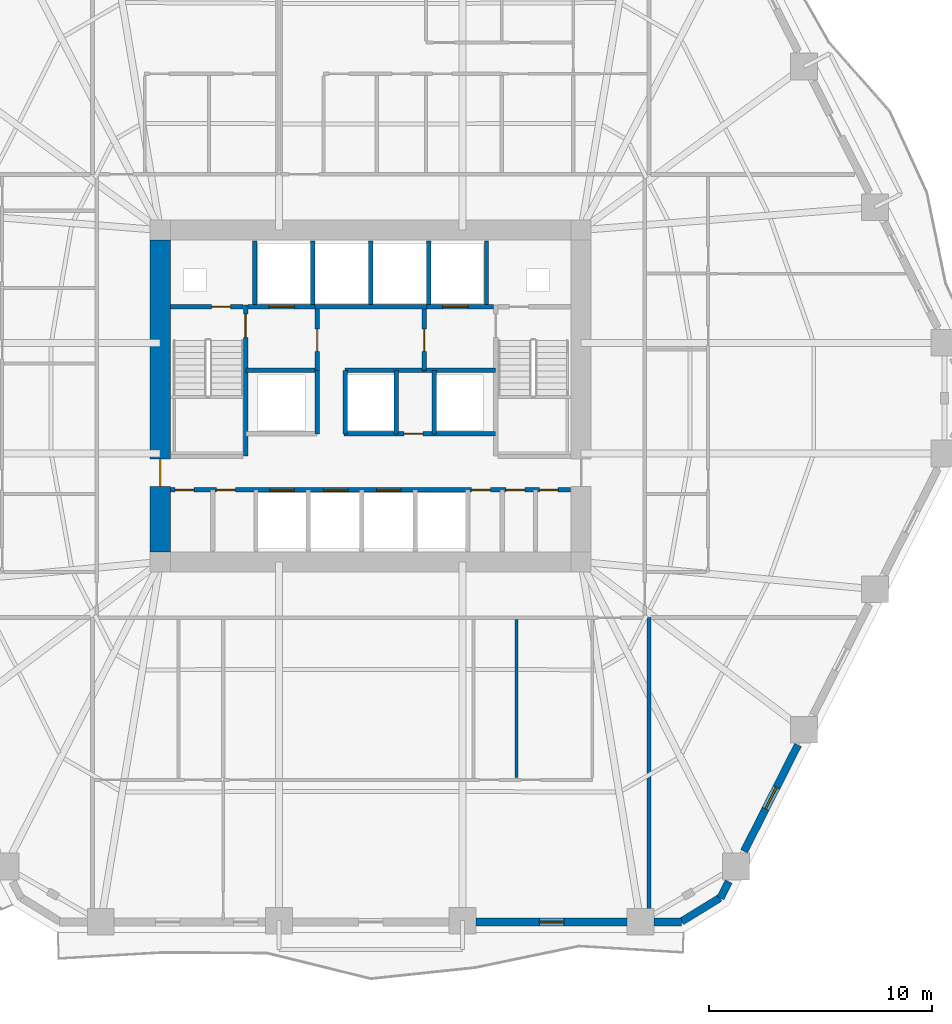
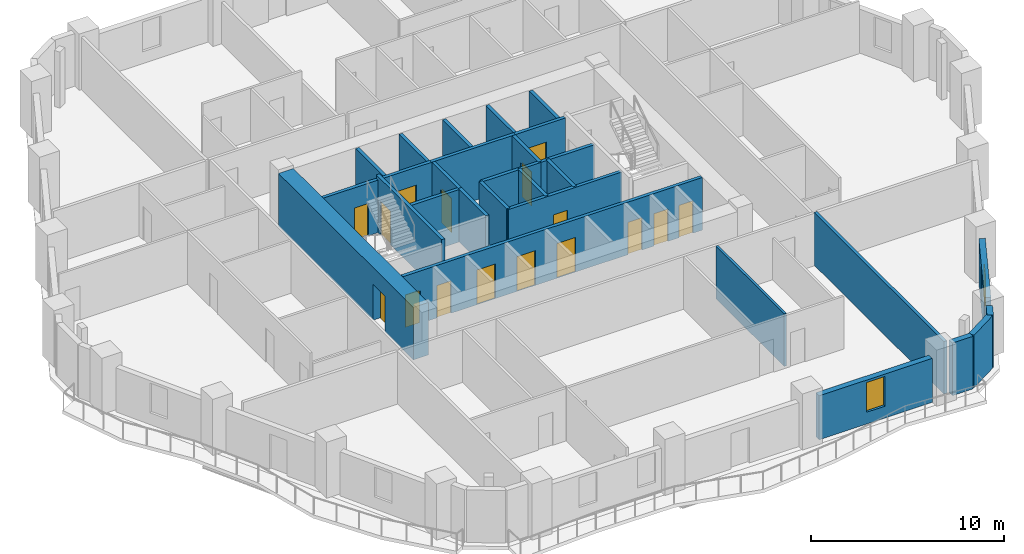
# One storey, part 5 of 11: 29 walls, 16 doors, 2 windows, 18 openings.
"""IFC4 building model written with IfcOpenShell, lengths in metres."""

from ifc_helpers import new_model, si_unit, direction, frame, frame_2d, origin, place, context, subcontext, project, spatial, rectangle, extrude, material, layer, layer_set, type_object, element, fill, save


model = new_model("IFC4")

# Units and contexts
model_context = context("Model", 3, precision=1e-05, world=origin(), true_north=direction((0.0, 1.0)))
body_context = subcontext(model_context, "Body", "Model", "MODEL_VIEW")
ifc_project = project(units=[si_unit("LENGTHUNIT", "METRE"), si_unit("AREAUNIT", "SQUARE_METRE"), si_unit("VOLUMEUNIT", "CUBIC_METRE"), si_unit("PLANEANGLEUNIT", "RADIAN"), si_unit("MASSUNIT", "GRAM", prefix="KILO")], contexts=[model_context])

# Site, building, storey
site_placement = place(None, origin())
site = spatial("IfcSite", under=ifc_project, at=site_placement, CompositionType="ELEMENT")
building_placement = place(site_placement, origin())
building = spatial("IfcBuilding", under=site, at=building_placement, Name="Cinnabar Lancet Tower", CompositionType="ELEMENT")
storey_placement = place(building_placement, frame((0.0, 0.0, 46.199951171875)))
storey = spatial("IfcBuildingStorey", under=building, at=storey_placement, Name="L11", CompositionType="ELEMENT", Elevation=46.199951171875)

# Wall
ifc_material_1 = material(Name="Fire-rated twin-frame acoustic drywall", Category="gypsum")
ifc_layer_1 = layer(ifc_material_1, 0.179931640625)
ifc_layer_set_1 = layer_set([ifc_layer_1], Name="Fire-rated twin-frame acoustic drywall")
wall_type_1 = type_object("IfcWallType", Name="ARC-WL-PARTY-180", PredefinedType="PARTITIONING", material=ifc_layer_set_1)
wall_1_placement = place(storey_placement, frame((44.89990234375, 2.455078125, 0.0), z_axis=(0.0, 0.0, 1.0), x_axis=(0.0, 1.0, 0.0)))
element("IfcWall", 1, at=wall_1_placement, inside=storey, type_object=wall_type_1, Name="PW-L11-SPTY-449", PredefinedType="PARTITIONING", context=body_context, shape_type="SweptSolid", body=[
    extrude(rectangle(XDim=13.494873046875, YDim=0.179931640625, at=frame_2d((6.74755859375, 0.0))), origin(), (0.0, 0.0, 1.0), 3.330078125),
])

# Wall, opening, door
ifc_material_2 = material(Name="Autoclaved aerated concrete blockwork", Category="masonry")
ifc_layer_2 = layer(ifc_material_2, 0.199951171875)
ifc_layer_set_2 = layer_set([ifc_layer_2], Name="Autoclaved aerated concrete blockwork")
wall_type_2 = type_object("IfcWallType", Name="ARC-WL-SHAFT-200", PredefinedType="PLUMBINGWALL", material=ifc_layer_set_2)
wall_2_placement = place(storey_placement, frame((23.405029296875, 29.89990234375, 0.0), z_axis=(0.0, 0.0, 1.0), x_axis=(1.0, 0.0, 0.0)))
wall_2 = element("IfcWall", 2, at=wall_2_placement, inside=storey, type_object=wall_type_2, Name="CW-NSH-W-L11", PredefinedType="PLUMBINGWALL", context=body_context, shape_type="SweptSolid", body=[
    extrude(rectangle(XDim=3.27001953125, YDim=0.199951171875, at=frame_2d((1.635009765625, 0.0))), origin(), (0.0, 0.0, 1.0), 3.330078125),
])
opening_1_placement = place(wall_2_placement, frame((1.85009765625, 0.0, 0.0)))
opening_1 = element("IfcOpeningElement", 3, at=opening_1_placement, cuts=wall_2, Name="Opening PD-02", PredefinedType="OPENING", context=body_context, shape_type="SweptSolid", body=[
    extrude(rectangle(XDim=0.85009765625, YDim=2.050048828125, at=frame_2d((0.425048828125, 1.02490234375))), frame((0.0, 0.10986328125, 0.0), z_axis=(0.0, -1.0, 0.0), x_axis=(1.0, 0.0, 0.0)), (0.0, 0.0, 1.0), 0.219970703125),
])
ifc_material_3 = material(Name="Fire-rated steel riser access door", Category="steel")
door_type_1 = type_object("IfcDoorType", Name="ARC-DR-RISER", OperationType="NOTDEFINED", PredefinedType="DOOR", material=ifc_material_3)
door_1_placement = place(opening_1_placement, origin())
door_1 = element("IfcDoor", 4, at=door_1_placement, inside=storey, type_object=door_type_1, Name="L11 West Riser Access Door", OperationType="SINGLE_SWING_LEFT", OverallHeight=2.050048828125, OverallWidth=0.85009765625, PredefinedType="DOOR", context=body_context, shape_type="SweptSolid", body=[
    extrude(rectangle(XDim=0.85009765625, YDim=2.050048828125, at=frame_2d((0.425048828125, 1.02490234375))), frame((0.0, 0.02490234375, 0.0), z_axis=(0.0, -1.0, 0.0), x_axis=(1.0, 0.0, 0.0)), (0.0, 0.0, 1.0), 0.050048828125),
])
fill(opening_1, door_1)

wall_3_placement = place(storey_placement, frame((26.885009765625, 29.89990234375, 0.0), z_axis=(0.0, 0.0, 1.0), x_axis=(1.0, 0.0, 0.0)))
wall_3 = element("IfcWall", 5, at=wall_3_placement, inside=storey, type_object=wall_type_2, Name="CW-FL1-L11", PredefinedType="PLUMBINGWALL", context=body_context, shape_type="SweptSolid", body=[
    extrude(rectangle(XDim=3.014892578125, YDim=0.199951171875, at=frame_2d((1.50732421875, 0.0))), origin(), (0.0, 0.0, 1.0), 3.330078125),
])
opening_2_placement = place(wall_3_placement, frame((0.93994140625, 0.0, 0.0)))
opening_2 = element("IfcOpeningElement", 6, at=opening_2_placement, cuts=wall_3, Name="Opening LD-02", PredefinedType="OPENING", context=body_context, shape_type="SweptSolid", body=[
    extrude(rectangle(XDim=1.14990234375, YDim=2.199951171875, at=frame_2d((0.574951171875, 1.10009765625))), frame((0.0, 0.10986328125, 0.0), z_axis=(0.0, -1.0, 0.0), x_axis=(1.0, 0.0, 0.0)), (0.0, 0.0, 1.0), 0.219970703125),
])
ifc_material_4 = material(Name="Fire-rated stainless steel firefighting lift landing door", Category="steel")
door_type_2 = type_object("IfcDoorType", Name="ARC-DR-LD-FIRE", OperationType="NOTDEFINED", PredefinedType="DOOR", material=ifc_material_4)
door_2_placement = place(opening_2_placement, origin())
door_2 = element("IfcDoor", 7, at=door_2_placement, inside=storey, type_object=door_type_2, Name="L11 Firefighting Lift FL-1 Landing Door", OperationType="DOUBLE_DOOR_SLIDING", OverallHeight=2.199951171875, OverallWidth=1.14990234375, PredefinedType="DOOR", context=body_context, shape_type="SweptSolid", body=[
    extrude(rectangle(XDim=1.14990234375, YDim=2.199951171875, at=frame_2d((0.574951171875, 1.10009765625))), frame((0.0, 0.02490234375, 0.0), z_axis=(0.0, -1.0, 0.0), x_axis=(1.0, 0.0, 0.0)), (0.0, 0.0, 1.0), 0.050048828125),
])
fill(opening_2, door_2)

# Wall
wall_4_placement = place(storey_placement, frame((29.89990234375, 29.89990234375, 0.0), z_axis=(0.0, 0.0, 1.0), x_axis=(1.0, 0.0, 0.0)))
element("IfcWall", 8, at=wall_4_placement, inside=storey, type_object=wall_type_2, Name="CW-PL78-L11", PredefinedType="PLUMBINGWALL", context=body_context, shape_type="SweptSolid", body=[
    extrude(rectangle(XDim=5.0, YDim=0.199951171875, at=frame_2d((2.5, 0.0))), origin(), (0.0, 0.0, 1.0), 3.330078125),
])

# Wall, opening, door
wall_5_placement = place(storey_placement, frame((34.89990234375, 29.89990234375, 0.0), z_axis=(0.0, 0.0, 1.0), x_axis=(1.0, 0.0, 0.0)))
wall_5 = element("IfcWall", 9, at=wall_5_placement, inside=storey, type_object=wall_type_2, Name="CW-FL2-L11", PredefinedType="PLUMBINGWALL", context=body_context, shape_type="SweptSolid", body=[
    extrude(rectangle(XDim=3.01513671875, YDim=0.199951171875, at=frame_2d((1.507568359375, 0.0))), origin(), (0.0, 0.0, 1.0), 3.330078125),
])
opening_3_placement = place(wall_5_placement, frame((0.72509765625, 0.0, 0.0)))
opening_3 = element("IfcOpeningElement", 10, at=opening_3_placement, cuts=wall_5, Name="Opening LD-02", PredefinedType="OPENING", context=body_context, shape_type="SweptSolid", body=[
    extrude(rectangle(XDim=1.14990234375, YDim=2.199951171875, at=frame_2d((0.574951171875, 1.10009765625))), frame((0.0, 0.10986328125, 0.0), z_axis=(0.0, -1.0, 0.0), x_axis=(1.0, 0.0, 0.0)), (0.0, 0.0, 1.0), 0.219970703125),
])
door_3_placement = place(opening_3_placement, origin())
door_3 = element("IfcDoor", 11, at=door_3_placement, inside=storey, type_object=door_type_2, Name="L11 Firefighting Lift FL-2 Landing Door", OperationType="DOUBLE_DOOR_SLIDING", OverallHeight=2.199951171875, OverallWidth=1.14990234375, PredefinedType="DOOR", context=body_context, shape_type="SweptSolid", body=[
    extrude(rectangle(XDim=1.14990234375, YDim=2.199951171875, at=frame_2d((0.574951171875, 1.10009765625))), frame((0.0, 0.02490234375, 0.0), z_axis=(0.0, -1.0, 0.0), x_axis=(1.0, 0.0, 0.0)), (0.0, 0.0, 1.0), 0.050048828125),
])
fill(opening_3, door_3)

# Walls
for number, where, z_axis, x_axis, name in (
    (12, (27.199951171875, 30.0, 0.0), (0.0, 0.0, 1.0), (0.0, 1.0, 0.0), "CW-NSH-D1-L11"),
    (13, (29.800048828125, 30.0, 0.0), (0.0, 0.0, 1.0), (0.0, 1.0, 0.0), "CW-NSH-D2-L11"),
    (14, (32.39990234375, 30.0, 0.0), (0.0, 0.0, 1.0), (0.0, 1.0, 0.0), "CW-NSH-D3-L11"),
    (15, (35.0, 30.0, 0.0), (0.0, 0.0, 1.0), (0.0, 1.0, 0.0), "CW-NSH-D4-L11"),
    (16, (37.60009765625, 30.0, 0.0), (0.0, 0.0, 1.0), (0.0, 1.0, 0.0), "CW-NSH-D5-L11"),
):
    element("IfcWall", number, at=place(storey_placement, frame(where, z_axis=z_axis, x_axis=x_axis)), inside=storey, type_object=wall_type_2, Name=name, PredefinedType="PLUMBINGWALL", context=body_context, shape_type="SweptSolid", body=[
        extrude(rectangle(XDim=2.85009765625, YDim=0.199951171875, at=frame_2d((1.425048828125, 0.0))), origin(), (0.0, 0.0, 1.0), 3.330078125),
    ])

# Wall, opening, door
wall_6_placement = place(storey_placement, frame((30.0, 27.050048828125, 0.0), z_axis=(0.0, 0.0, 1.0), x_axis=(0.0, 1.0, 0.0)))
wall_6 = element("IfcWall", 17, at=wall_6_placement, inside=storey, type_object=wall_type_2, Name="CW-FF1E-L11", PredefinedType="PLUMBINGWALL", context=body_context, shape_type="SweptSolid", body=[
    extrude(rectangle(XDim=2.75, YDim=0.199951171875, at=frame_2d((1.375, 0.0))), origin(), (0.0, 0.0, 1.0), 3.330078125),
])
opening_4_placement = place(wall_6_placement, frame((0.85009765625, 0.0, 0.0)))
opening_4 = element("IfcOpeningElement", 18, at=opening_4_placement, cuts=wall_6, Name="Opening FD-01", PredefinedType="OPENING", context=body_context, shape_type="SweptSolid", body=[
    extrude(rectangle(XDim=1.0, YDim=2.14990234375, at=frame_2d((0.5, 1.074951171875))), frame((0.0, 0.10986328125, 0.0), z_axis=(0.0, -1.0, 0.0), x_axis=(1.0, 0.0, 0.0)), (0.0, 0.0, 1.0), 0.219970703125),
])
ifc_material_5 = material(Name="Fire-rated timber-core lobby door", Category="wood")
door_type_3 = type_object("IfcDoorType", Name="ARC-DR-FFAL", OperationType="NOTDEFINED", PredefinedType="DOOR", material=ifc_material_5)
door_4_placement = place(opening_4_placement, origin())
door_4 = element("IfcDoor", 19, at=door_4_placement, inside=storey, type_object=door_type_3, Name="L11 FFAL-1 Lobby Fire Door", OperationType="SINGLE_SWING_RIGHT", OverallHeight=2.14990234375, OverallWidth=1.0, PredefinedType="DOOR", context=body_context, shape_type="SweptSolid", body=[
    extrude(rectangle(XDim=1.0, YDim=2.14990234375, at=frame_2d((0.5, 1.074951171875))), frame((0.0, 0.02490234375, 0.0), z_axis=(0.0, -1.0, 0.0), x_axis=(1.0, 0.0, 0.0)), (0.0, 0.0, 1.0), 0.050048828125),
])
fill(opening_4, door_4)

# Wall
wall_7_placement = place(storey_placement, frame((26.800048828125, 27.050048828125, 0.0), z_axis=(0.0, 0.0, 1.0), x_axis=(1.0, 0.0, 0.0)))
element("IfcWall", 20, at=wall_7_placement, inside=storey, type_object=wall_type_2, Name="CW-FF1S-L11", PredefinedType="PLUMBINGWALL", context=body_context, shape_type="SweptSolid", body=[
    extrude(rectangle(XDim=3.199951171875, YDim=0.199951171875, at=frame_2d((1.60009765625, 0.0))), origin(), (0.0, 0.0, 1.0), 3.330078125),
])

# Wall, opening, door
wall_8_placement = place(storey_placement, frame((34.800048828125, 27.050048828125, 0.0), z_axis=(0.0, 0.0, 1.0), x_axis=(0.0, 1.0, 0.0)))
wall_8 = element("IfcWall", 21, at=wall_8_placement, inside=storey, type_object=wall_type_2, Name="CW-FF2W-L11", PredefinedType="PLUMBINGWALL", context=body_context, shape_type="SweptSolid", body=[
    extrude(rectangle(XDim=2.75, YDim=0.199951171875, at=frame_2d((1.375, 0.0))), origin(), (0.0, 0.0, 1.0), 3.330078125),
])
opening_5_placement = place(wall_8_placement, frame((0.85009765625, 0.0, 0.0)))
opening_5 = element("IfcOpeningElement", 22, at=opening_5_placement, cuts=wall_8, Name="Opening FD-01", PredefinedType="OPENING", context=body_context, shape_type="SweptSolid", body=[
    extrude(rectangle(XDim=1.0, YDim=2.14990234375, at=frame_2d((0.5, 1.074951171875))), frame((0.0, 0.10986328125, 0.0), z_axis=(0.0, -1.0, 0.0), x_axis=(1.0, 0.0, 0.0)), (0.0, 0.0, 1.0), 0.219970703125),
])
door_5_placement = place(opening_5_placement, origin())
door_5 = element("IfcDoor", 23, at=door_5_placement, inside=storey, type_object=door_type_3, Name="L11 FFAL-2 Lobby Fire Door", OperationType="SINGLE_SWING_LEFT", OverallHeight=2.14990234375, OverallWidth=1.0, PredefinedType="DOOR", context=body_context, shape_type="SweptSolid", body=[
    extrude(rectangle(XDim=1.0, YDim=2.14990234375, at=frame_2d((0.5, 1.074951171875))), frame((0.0, 0.02490234375, 0.0), z_axis=(0.0, -1.0, 0.0), x_axis=(1.0, 0.0, 0.0)), (0.0, 0.0, 1.0), 0.050048828125),
])
fill(opening_5, door_5)

# Walls
wall_9_placement = place(storey_placement, frame((34.800048828125, 27.050048828125, 0.0), z_axis=(0.0, 0.0, 1.0), x_axis=(1.0, 0.0, 0.0)))
element("IfcWall", 24, at=wall_9_placement, inside=storey, type_object=wall_type_2, Name="CW-FF2S-L11", PredefinedType="PLUMBINGWALL", context=body_context, shape_type="SweptSolid", body=[
    extrude(rectangle(XDim=3.199951171875, YDim=0.199951171875, at=frame_2d((1.60009765625, 0.0))), origin(), (0.0, 0.0, 1.0), 3.330078125),
])
wall_10_placement = place(storey_placement, frame((30.0, 24.199951171875, 0.0), z_axis=(0.0, 0.0, 1.0), x_axis=(0.0, 1.0, 0.0)))
element("IfcWall", 25, at=wall_10_placement, inside=storey, type_object=wall_type_2, Name="CW-PL5E-L11", PredefinedType="PLUMBINGWALL", context=body_context, shape_type="SweptSolid", body=[
    extrude(rectangle(XDim=2.85009765625, YDim=0.199951171875, at=frame_2d((1.425048828125, 0.0))), origin(), (0.0, 0.0, 1.0), 3.330078125),
])

# Wall, opening, door
wall_11_placement = place(storey_placement, frame((31.199951171875, 24.199951171875, 0.0), z_axis=(0.0, 0.0, 1.0), x_axis=(1.0, 0.0, 0.0)))
wall_11 = element("IfcWall", 26, at=wall_11_placement, inside=storey, type_object=wall_type_2, Name="CW-PL96S-L11", PredefinedType="PLUMBINGWALL", context=body_context, shape_type="SweptSolid", body=[
    extrude(rectangle(XDim=6.800048828125, YDim=0.199951171875, at=frame_2d((3.39990234375, 0.0))), origin(), (0.0, 0.0, 1.0), 3.330078125),
])
opening_6_placement = place(wall_11_placement, frame((2.699951171875, 0.0, 0.0)))
opening_6 = element("IfcOpeningElement", 27, at=opening_6_placement, cuts=wall_11, Name="Opening PD-02", PredefinedType="OPENING", context=body_context, shape_type="SweptSolid", body=[
    extrude(rectangle(XDim=0.85009765625, YDim=2.050048828125, at=frame_2d((0.425048828125, 1.02490234375))), frame((0.0, 0.10986328125, 0.0), z_axis=(0.0, -1.0, 0.0), x_axis=(1.0, 0.0, 0.0)), (0.0, 0.0, 1.0), 0.219970703125),
])
door_6_placement = place(opening_6_placement, origin())
door_6 = element("IfcDoor", 28, at=door_6_placement, inside=storey, type_object=door_type_1, Name="L11 BMS Closet Door", OperationType="SINGLE_SWING_LEFT", OverallHeight=2.050048828125, OverallWidth=0.85009765625, PredefinedType="DOOR", context=body_context, shape_type="SweptSolid", body=[
    extrude(rectangle(XDim=0.85009765625, YDim=2.050048828125, at=frame_2d((0.425048828125, 1.02490234375))), frame((0.0, 0.02490234375, 0.0), z_axis=(0.0, -1.0, 0.0), x_axis=(1.0, 0.0, 0.0)), (0.0, 0.0, 1.0), 0.050048828125),
])
fill(opening_6, door_6)

# Walls
for number, where, z_axis, x_axis, name in (
    (29, (31.25, 24.199951171875, 0.0), (0.0, 0.0, 1.0), (0.0, 1.0, 0.0), "CW-PL9W-L11"),
    (30, (33.550048828125, 24.199951171875, 0.0), (0.0, 0.0, 1.0), (0.0, 1.0, 0.0), "CW-PL9E-L11"),
    (31, (35.25, 24.199951171875, 0.0), (0.0, 0.0, 1.0), (0.0, 1.0, 0.0), "CW-PL6W-L11"),
):
    element("IfcWall", number, at=place(storey_placement, frame(where, z_axis=z_axis, x_axis=x_axis)), inside=storey, type_object=wall_type_2, Name=name, PredefinedType="PLUMBINGWALL", context=body_context, shape_type="SweptSolid", body=[
        extrude(rectangle(XDim=2.85009765625, YDim=0.199951171875, at=frame_2d((1.425048828125, 0.0))), origin(), (0.0, 0.0, 1.0), 3.330078125),
    ])
wall_12_placement = place(storey_placement, frame((31.25, 27.050048828125, 0.0), z_axis=(0.0, 0.0, 1.0), x_axis=(1.0, 0.0, 0.0)))
element("IfcWall", 32, at=wall_12_placement, inside=storey, type_object=wall_type_2, Name="CW-PL96N-L11", PredefinedType="PLUMBINGWALL", context=body_context, shape_type="SweptSolid", body=[
    extrude(rectangle(XDim=3.550048828125, YDim=0.199951171875, at=frame_2d((1.77490234375, 0.0))), origin(), (0.0, 0.0, 1.0), 3.330078125),
])

# Wall, openings, doors
wall_13_placement = place(storey_placement, frame((23.419921875, 21.679931640625, 0.0), z_axis=(0.0, 0.0, 1.0), x_axis=(1.0, 0.0, 0.0)))
wall_13 = element("IfcWall", 33, at=wall_13_placement, inside=storey, type_object=wall_type_2, Name="CW-SBANDN-L11", PredefinedType="PLUMBINGWALL", context=body_context, shape_type="SweptSolid", body=[
    extrude(rectangle(XDim=17.9599609375, YDim=0.199951171875, at=frame_2d((8.97998046875, 0.0))), origin(), (0.0, 0.0, 1.0), 3.330078125),
])
opening_7_placement = place(wall_13_placement, frame((4.449951171875, 0.0, 0.0)))
opening_7 = element("IfcOpeningElement", 34, at=opening_7_placement, cuts=wall_13, Name="Opening LD-01", PredefinedType="OPENING", context=body_context, shape_type="SweptSolid", body=[
    extrude(rectangle(XDim=1.10009765625, YDim=2.199951171875, at=frame_2d((0.550048828125, 1.10009765625))), frame((0.0, 0.10986328125, 0.0), z_axis=(0.0, -1.0, 0.0), x_axis=(1.0, 0.0, 0.0)), (0.0, 0.0, 1.0), 0.219970703125),
])
opening_8_placement = place(wall_13_placement, frame((6.85009765625, 0.0, 0.0)))
opening_8 = element("IfcOpeningElement", 35, at=opening_8_placement, cuts=wall_13, Name="Opening LD-01", PredefinedType="OPENING", context=body_context, shape_type="SweptSolid", body=[
    extrude(rectangle(XDim=1.10009765625, YDim=2.199951171875, at=frame_2d((0.550048828125, 1.10009765625))), frame((0.0, 0.10986328125, 0.0), z_axis=(0.0, -1.0, 0.0), x_axis=(1.0, 0.0, 0.0)), (0.0, 0.0, 1.0), 0.219970703125),
])
opening_9_placement = place(wall_13_placement, frame((9.25, 0.0, 0.0)))
opening_9 = element("IfcOpeningElement", 36, at=opening_9_placement, cuts=wall_13, Name="Opening LD-01", PredefinedType="OPENING", context=body_context, shape_type="SweptSolid", body=[
    extrude(rectangle(XDim=1.10009765625, YDim=2.199951171875, at=frame_2d((0.550048828125, 1.10009765625))), frame((0.0, 0.10986328125, 0.0), z_axis=(0.0, -1.0, 0.0), x_axis=(1.0, 0.0, 0.0)), (0.0, 0.0, 1.0), 0.219970703125),
])
opening_10_placement = place(wall_13_placement, frame((0.199951171875, 0.0, 0.0)))
opening_10 = element("IfcOpeningElement", 37, at=opening_10_placement, cuts=wall_13, Name="Opening PD-02", PredefinedType="OPENING", context=body_context, shape_type="SweptSolid", body=[
    extrude(rectangle(XDim=0.85009765625, YDim=2.050048828125, at=frame_2d((0.425048828125, 1.02490234375))), frame((0.0, 0.10986328125, 0.0), z_axis=(0.0, -1.0, 0.0), x_axis=(1.0, 0.0, 0.0)), (0.0, 0.0, 1.0), 0.219970703125),
])
opening_11_placement = place(wall_13_placement, frame((2.050048828125, 0.0, 0.0)))
opening_11 = element("IfcOpeningElement", 38, at=opening_11_placement, cuts=wall_13, Name="Opening PD-02", PredefinedType="OPENING", context=body_context, shape_type="SweptSolid", body=[
    extrude(rectangle(XDim=0.85009765625, YDim=2.050048828125, at=frame_2d((0.425048828125, 1.02490234375))), frame((0.0, 0.10986328125, 0.0), z_axis=(0.0, -1.0, 0.0), x_axis=(1.0, 0.0, 0.0)), (0.0, 0.0, 1.0), 0.219970703125),
])
opening_12_placement = place(wall_13_placement, frame((13.5, 0.0, 0.0)))
opening_12 = element("IfcOpeningElement", 39, at=opening_12_placement, cuts=wall_13, Name="Opening PD-02", PredefinedType="OPENING", context=body_context, shape_type="SweptSolid", body=[
    extrude(rectangle(XDim=0.85009765625, YDim=2.050048828125, at=frame_2d((0.425048828125, 1.02490234375))), frame((0.0, 0.10986328125, 0.0), z_axis=(0.0, -1.0, 0.0), x_axis=(1.0, 0.0, 0.0)), (0.0, 0.0, 1.0), 0.219970703125),
])
opening_13_placement = place(wall_13_placement, frame((15.050048828125, 0.0, 0.0)))
opening_13 = element("IfcOpeningElement", 40, at=opening_13_placement, cuts=wall_13, Name="Opening PD-02", PredefinedType="OPENING", context=body_context, shape_type="SweptSolid", body=[
    extrude(rectangle(XDim=0.85009765625, YDim=2.050048828125, at=frame_2d((0.425048828125, 1.02490234375))), frame((0.0, 0.10986328125, 0.0), z_axis=(0.0, -1.0, 0.0), x_axis=(1.0, 0.0, 0.0)), (0.0, 0.0, 1.0), 0.219970703125),
])
opening_14_placement = place(wall_13_placement, frame((16.550048828125, 0.0, 0.0)))
opening_14 = element("IfcOpeningElement", 41, at=opening_14_placement, cuts=wall_13, Name="Opening PD-02", PredefinedType="OPENING", context=body_context, shape_type="SweptSolid", body=[
    extrude(rectangle(XDim=0.85009765625, YDim=2.050048828125, at=frame_2d((0.425048828125, 1.02490234375))), frame((0.0, 0.10986328125, 0.0), z_axis=(0.0, -1.0, 0.0), x_axis=(1.0, 0.0, 0.0)), (0.0, 0.0, 1.0), 0.219970703125),
])
ifc_material_6 = material(Name="Brushed stainless steel sliding lift door", Category="steel")
door_type_4 = type_object("IfcDoorType", Name="ARC-DR-LD-PASS", OperationType="NOTDEFINED", PredefinedType="DOOR", material=ifc_material_6)
door_7_placement = place(opening_7_placement, origin())
door_7 = element("IfcDoor", 42, at=door_7_placement, inside=storey, type_object=door_type_4, Name="L11 Lift PL-1 Landing Door", OperationType="DOUBLE_DOOR_SLIDING", OverallHeight=2.199951171875, OverallWidth=1.10009765625, PredefinedType="DOOR", context=body_context, shape_type="SweptSolid", body=[
    extrude(rectangle(XDim=1.10009765625, YDim=2.199951171875, at=frame_2d((0.550048828125, 1.10009765625))), frame((0.0, 0.02490234375, 0.0), z_axis=(0.0, -1.0, 0.0), x_axis=(1.0, 0.0, 0.0)), (0.0, 0.0, 1.0), 0.050048828125),
])
fill(opening_7, door_7)
door_8_placement = place(opening_8_placement, origin())
door_8 = element("IfcDoor", 43, at=door_8_placement, inside=storey, type_object=door_type_4, Name="L11 Lift PL-2 Landing Door", OperationType="DOUBLE_DOOR_SLIDING", OverallHeight=2.199951171875, OverallWidth=1.10009765625, PredefinedType="DOOR", context=body_context, shape_type="SweptSolid", body=[
    extrude(rectangle(XDim=1.10009765625, YDim=2.199951171875, at=frame_2d((0.550048828125, 1.10009765625))), frame((0.0, 0.02490234375, 0.0), z_axis=(0.0, -1.0, 0.0), x_axis=(1.0, 0.0, 0.0)), (0.0, 0.0, 1.0), 0.050048828125),
])
fill(opening_8, door_8)
door_9_placement = place(opening_9_placement, origin())
door_9 = element("IfcDoor", 44, at=door_9_placement, inside=storey, type_object=door_type_4, Name="L11 Lift PL-3 Landing Door", OperationType="DOUBLE_DOOR_SLIDING", OverallHeight=2.199951171875, OverallWidth=1.10009765625, PredefinedType="DOOR", context=body_context, shape_type="SweptSolid", body=[
    extrude(rectangle(XDim=1.10009765625, YDim=2.199951171875, at=frame_2d((0.550048828125, 1.10009765625))), frame((0.0, 0.02490234375, 0.0), z_axis=(0.0, -1.0, 0.0), x_axis=(1.0, 0.0, 0.0)), (0.0, 0.0, 1.0), 0.050048828125),
])
fill(opening_9, door_9)
door_10_placement = place(opening_10_placement, origin())
door_10 = element("IfcDoor", 45, at=door_10_placement, inside=storey, type_object=door_type_1, Name="DR-L11-SC2-1", OperationType="SINGLE_SWING_LEFT", OverallHeight=2.050048828125, OverallWidth=0.85009765625, PredefinedType="DOOR", context=body_context, shape_type="SweptSolid", body=[
    extrude(rectangle(XDim=0.85009765625, YDim=2.050048828125, at=frame_2d((0.425048828125, 1.02490234375))), frame((0.0, 0.02490234375, 0.0), z_axis=(0.0, -1.0, 0.0), x_axis=(1.0, 0.0, 0.0)), (0.0, 0.0, 1.0), 0.050048828125),
])
fill(opening_10, door_10)
door_11_placement = place(opening_11_placement, origin())
door_11 = element("IfcDoor", 46, at=door_11_placement, inside=storey, type_object=door_type_1, Name="DR-L11-SC2-2", OperationType="SINGLE_SWING_RIGHT", OverallHeight=2.050048828125, OverallWidth=0.85009765625, PredefinedType="DOOR", context=body_context, shape_type="SweptSolid", body=[
    extrude(rectangle(XDim=0.85009765625, YDim=2.050048828125, at=frame_2d((0.425048828125, 1.02490234375))), frame((0.0, 0.02490234375, 0.0), z_axis=(0.0, -1.0, 0.0), x_axis=(1.0, 0.0, 0.0)), (0.0, 0.0, 1.0), 0.050048828125),
])
fill(opening_11, door_11)
door_12_placement = place(opening_12_placement, origin())
door_12 = element("IfcDoor", 47, at=door_12_placement, inside=storey, type_object=door_type_1, Name="DR-L11-SC2-3", OperationType="SINGLE_SWING_LEFT", OverallHeight=2.050048828125, OverallWidth=0.85009765625, PredefinedType="DOOR", context=body_context, shape_type="SweptSolid", body=[
    extrude(rectangle(XDim=0.85009765625, YDim=2.050048828125, at=frame_2d((0.425048828125, 1.02490234375))), frame((0.0, 0.02490234375, 0.0), z_axis=(0.0, -1.0, 0.0), x_axis=(1.0, 0.0, 0.0)), (0.0, 0.0, 1.0), 0.050048828125),
])
fill(opening_12, door_12)
door_13_placement = place(opening_13_placement, origin())
door_13 = element("IfcDoor", 48, at=door_13_placement, inside=storey, type_object=door_type_1, Name="DR-L11-SC2-4", OperationType="SINGLE_SWING_RIGHT", OverallHeight=2.050048828125, OverallWidth=0.85009765625, PredefinedType="DOOR", context=body_context, shape_type="SweptSolid", body=[
    extrude(rectangle(XDim=0.85009765625, YDim=2.050048828125, at=frame_2d((0.425048828125, 1.02490234375))), frame((0.0, 0.02490234375, 0.0), z_axis=(0.0, -1.0, 0.0), x_axis=(1.0, 0.0, 0.0)), (0.0, 0.0, 1.0), 0.050048828125),
])
fill(opening_13, door_13)
door_14_placement = place(opening_14_placement, origin())
door_14 = element("IfcDoor", 49, at=door_14_placement, inside=storey, type_object=door_type_1, Name="DR-L11-SC2-5", OperationType="SINGLE_SWING_LEFT", OverallHeight=2.050048828125, OverallWidth=0.85009765625, PredefinedType="DOOR", context=body_context, shape_type="SweptSolid", body=[
    extrude(rectangle(XDim=0.85009765625, YDim=2.050048828125, at=frame_2d((0.425048828125, 1.02490234375))), frame((0.0, 0.02490234375, 0.0), z_axis=(0.0, -1.0, 0.0), x_axis=(1.0, 0.0, 0.0)), (0.0, 0.0, 1.0), 0.050048828125),
])
fill(opening_14, door_14)

# Walls
ifc_material_7 = material(Name="Moisture-resistant cement-board plumbing wall", Category="masonry")
ifc_layer_3 = layer(ifc_material_7, 0.139892578125)
ifc_layer_set_3 = layer_set([ifc_layer_3], Name="Moisture-resistant cement-board plumbing wall")
wall_type_3 = type_object("IfcWallType", Name="ARC-WL-WET-140", PredefinedType="PLUMBINGWALL", material=ifc_layer_set_3)
wall_14_placement = place(storey_placement, frame((38.949951171875, 8.76806640625, 0.0), z_axis=(0.0, 0.0, 1.0), x_axis=(0.0, 1.0, 0.0)))
element("IfcWall", 50, at=wall_14_placement, inside=storey, type_object=wall_type_3, Name="UW-L11-S01-KBD", PredefinedType="PLUMBINGWALL", context=body_context, shape_type="SweptSolid", body=[
    extrude(rectangle(XDim=7.096923828125, YDim=0.139892578125, at=frame_2d((3.54833984375, 0.0))), origin(), (0.0, 0.0, 1.0), 3.330078125),
])
ifc_material_8 = material(Name="Cinnabar red clay brick", Category="masonry")
ifc_layer_4 = layer(ifc_material_8, 0.340087890625)
ifc_layer_set_4 = layer_set([ifc_layer_4], Name="Cinnabar red clay brick")
wall_type_4 = type_object("IfcWallType", Name="ENV-WL-BRK-RED-340", PredefinedType="STANDARD", material=ifc_layer_set_4)
wall_15_placement = place(storey_placement, frame((46.361083984375, 2.304931640625, 0.0), z_axis=(0.0, 0.0, 1.0), x_axis=(0.851816122478, 0.523840904748, 0.0)))
element("IfcWall", 51, at=wall_15_placement, inside=storey, type_object=wall_type_4, Name="L11 Chamfered Corner Brick Pier 2.1", PredefinedType="STANDARD", context=body_context, shape_type="SweptSolid", body=[
    extrude(rectangle(XDim=2.01806640625, YDim=0.340087890625, at=frame_2d((1.009033203125, 0.0))), origin(), (0.0, 0.0, 1.0), 3.330078125),
])

# Wall, opening, window
wall_16_placement = place(storey_placement, frame((37.1259765625, 2.280029296875, 0.0), z_axis=(0.0, 0.0, 1.0), x_axis=(1.0, 0.0, 0.0)))
wall_16 = element("IfcWall", 52, at=wall_16_placement, inside=storey, type_object=wall_type_4, Name="L11 Face 1 Masonry Bay Wall 4", PredefinedType="STANDARD", context=body_context, shape_type="SweptSolid", body=[
    extrude(rectangle(XDim=6.787109375, YDim=0.340087890625, at=frame_2d((3.3935546875, 0.0))), origin(), (0.0, 0.0, 1.0), 2.787109375),
])
opening_15_placement = place(wall_16_placement, frame((2.843017578125, 0.0, 0.75)))
opening_15 = element("IfcOpeningElement", 53, at=opening_15_placement, cuts=wall_16, Name="Opening WN-04", PredefinedType="OPENING", context=body_context, shape_type="SweptSolid", body=[
    extrude(rectangle(XDim=1.10009765625, YDim=1.886962890625, at=frame_2d((0.550048828125, 0.943359375))), frame((0.0, 0.179931640625, 0.0), z_axis=(0.0, -1.0, 0.0), x_axis=(1.0, 0.0, 0.0)), (0.0, 0.0, 1.0), 0.360107421875),
])
ifc_material_9 = material(Name="Thermally broken bronze-anodized aluminium tall lancet window", Category="aluminium")
window_type = type_object("IfcWindowType", Name="ENV-WN-LANCET-1100", PartitioningType="SINGLE_PANEL", PredefinedType="WINDOW", material=ifc_material_9)
window_1_placement = place(opening_15_placement, origin())
window_1 = element("IfcWindow", 54, at=window_1_placement, inside=storey, type_object=window_type, Name="L11 Face 1 Gothic Lancet Window 4", OverallHeight=1.886962890625, OverallWidth=1.10009765625, PartitioningType="SINGLE_PANEL", PredefinedType="WINDOW", context=body_context, shape_type="SweptSolid", body=[
    extrude(rectangle(XDim=1.10009765625, YDim=1.886962890625, at=frame_2d((0.550048828125, 0.943359375))), frame((0.0, 0.030029296875, 0.0), z_axis=(0.0, -1.0, 0.0), x_axis=(1.0, 0.0, 0.0)), (0.0, 0.0, 1.0), 0.06005859375),
])
fill(opening_15, window_1)

# Walls
wall_17_placement = place(storey_placement, frame((45.12109375, 2.280029296875, 0.0), z_axis=(0.0, 0.0, 1.0), x_axis=(1.0, 0.0, 0.0)))
element("IfcWall", 55, at=wall_17_placement, inside=storey, type_object=wall_type_4, Name="L11 Face 1 Masonry Bay Wall 5", PredefinedType="STANDARD", context=body_context, shape_type="SweptSolid", body=[
    extrude(rectangle(XDim=1.244873046875, YDim=0.340087890625, at=frame_2d((0.62255859375, 0.0))), origin(), (0.0, 0.0, 1.0), 3.330078125),
])
wall_18_placement = place(storey_placement, frame((48.10009765625, 3.345947265625, 0.0), z_axis=(0.0, 0.0, 1.0), x_axis=(0.45187807258, 0.892079709175, 0.0)))
element("IfcWall", 56, at=wall_18_placement, inside=storey, type_object=wall_type_4, Name="L11 Face 2 Masonry Bay Wall 1", PredefinedType="STANDARD", context=body_context, shape_type="SweptSolid", body=[
    extrude(rectangle(XDim=0.83642578125, YDim=0.340087890625, at=frame_2d((0.418212890625, 0.0))), origin(), (0.0, 0.0, 1.0), 3.330078125),
])

# Wall, opening, window
wall_19_placement = place(storey_placement, frame((49.166015625, 5.4541015625, 0.0), z_axis=(0.0, 0.0, 1.0), x_axis=(0.451697561555, 0.892171123095, 0.0)))
wall_19 = element("IfcWall", 57, at=wall_19_placement, inside=storey, type_object=wall_type_4, Name="L11 Face 2 Masonry Bay Wall 2", PredefinedType="STANDARD", context=body_context, shape_type="SweptSolid", body=[
    extrude(rectangle(XDim=5.350830078125, YDim=0.340087890625, at=frame_2d((2.67529296875, 0.0))), origin(), (0.0, 0.0, 1.0), 2.787109375),
])
opening_16_placement = place(wall_19_placement, frame((2.125, 0.0, 0.75)))
opening_16 = element("IfcOpeningElement", 58, at=opening_16_placement, cuts=wall_19, Name="Opening WN-04", PredefinedType="OPENING", context=body_context, shape_type="SweptSolid", body=[
    extrude(rectangle(XDim=1.10009765625, YDim=1.886962890625, at=frame_2d((0.550048828125, 0.943359375))), frame((0.0, 0.179931640625, 0.0), z_axis=(0.0, -1.0, 0.0), x_axis=(1.0, 0.0, 0.0)), (0.0, 0.0, 1.0), 0.360107421875),
])
window_2_placement = place(opening_16_placement, origin())
window_2 = element("IfcWindow", 59, at=window_2_placement, inside=storey, type_object=window_type, Name="L11 Face 2 Gothic Lancet Window 2", OverallHeight=1.886962890625, OverallWidth=1.10009765625, PartitioningType="SINGLE_PANEL", PredefinedType="WINDOW", context=body_context, shape_type="SweptSolid", body=[
    extrude(rectangle(XDim=1.10009765625, YDim=1.886962890625, at=frame_2d((0.550048828125, 0.943359375))), frame((0.0, 0.030029296875, 0.0), z_axis=(0.0, -1.0, 0.0), x_axis=(1.0, 0.0, 0.0)), (0.0, 0.0, 1.0), 0.06005859375),
])
fill(opening_16, window_2)

# Wall, opening, door
ifc_material_10 = material(Name="Concrete C80/95", Category="concrete")
ifc_layer_5 = layer(ifc_material_10, 0.89990234375)
ifc_layer_set_5 = layer_set([ifc_layer_5], Name="Concrete C80/95")
wall_type_5 = type_object("IfcWallType", Name="STR-WL-CORE-900", PredefinedType="SHEAR", material=ifc_layer_set_5)
wall_20_placement = place(storey_placement, frame((22.949951171875, 18.89990234375, 0.0), z_axis=(0.0, 0.0, 1.0), x_axis=(0.0, 1.0, 0.0)))
wall_20 = element("IfcWall", 60, at=wall_20_placement, inside=storey, type_object=wall_type_5, Name="L11 Core Shear Wall W", PredefinedType="SHEAR", context=body_context, shape_type="SweptSolid", body=[
    extrude(rectangle(XDim=14.0, YDim=0.89990234375, at=frame_2d((7.0, 0.0))), origin(), (0.0, 0.0, 1.0), 3.330078125),
])
opening_17_placement = place(wall_20_placement, frame((2.93994140625, 0.0, 0.0)))
opening_17 = element("IfcOpeningElement", 61, at=opening_17_placement, cuts=wall_20, Name="Opening FD-02", PredefinedType="OPENING", context=body_context, shape_type="SweptSolid", body=[
    extrude(rectangle(XDim=1.219970703125, YDim=2.25, at=frame_2d((0.60986328125, 1.125))), frame((0.0, 0.4599609375, 0.0), z_axis=(0.0, -1.0, 0.0), x_axis=(1.0, 0.0, 0.0)), (0.0, 0.0, 1.0), 0.919921875),
])
ifc_material_11 = material(Name="Fire-rated double-vision core portal door", Category="wood")
door_type_5 = type_object("IfcDoorType", Name="ARC-DR-CPORT", OperationType="NOTDEFINED", PredefinedType="DOOR", material=ifc_material_11)
door_15_placement = place(opening_17_placement, origin())
door_15 = element("IfcDoor", 62, at=door_15_placement, inside=storey, type_object=door_type_5, Name="L11 West Core Lobby Fire Door", OperationType="SINGLE_SWING_RIGHT", OverallHeight=2.25, OverallWidth=1.219970703125, PredefinedType="DOOR", context=body_context, shape_type="SweptSolid", body=[
    extrude(rectangle(XDim=1.219970703125, YDim=2.25, at=frame_2d((0.60986328125, 1.125))), frame((0.0, 0.02490234375, 0.0), z_axis=(0.0, -1.0, 0.0), x_axis=(1.0, 0.0, 0.0)), (0.0, 0.0, 1.0), 0.050048828125),
])
fill(opening_17, door_15)

ifc_material_12 = material(Name="Concrete C50/60", Category="concrete")
ifc_layer_6 = layer(ifc_material_12, 0.199951171875)
ifc_layer_set_6 = layer_set([ifc_layer_6], Name="Concrete C50/60")
wall_type_6 = type_object("IfcWallType", Name="STR-WL-STAIR-200", PredefinedType="SHEAR", material=ifc_layer_set_6)
wall_21_placement = place(storey_placement, frame((26.780029296875, 23.199951171875, 0.0), z_axis=(0.0, 0.0, 1.0), x_axis=(0.0, 1.0, 0.0)))
wall_21 = element("IfcWall", 63, at=wall_21_placement, inside=storey, type_object=wall_type_6, Name="L11 Stair ST-1 Structural Enclosure Wall", PredefinedType="SHEAR", context=body_context, shape_type="SweptSolid", body=[
    extrude(rectangle(XDim=6.780029296875, YDim=0.199951171875, at=frame_2d((3.39013671875, 0.0))), origin(), (0.0, 0.0, 1.0), 3.550048828125),
])
opening_18_placement = place(wall_21_placement, frame((5.320068359375, 0.0, 0.0)))
opening_18 = element("IfcOpeningElement", 64, at=opening_18_placement, cuts=wall_21, Name="Opening SD-01", PredefinedType="OPENING", context=body_context, shape_type="SweptSolid", body=[
    extrude(rectangle(XDim=1.050048828125, YDim=2.14990234375, at=frame_2d((0.52490234375, 1.074951171875))), frame((0.0, 0.10986328125, 0.0), z_axis=(0.0, -1.0, 0.0), x_axis=(1.0, 0.0, 0.0)), (0.0, 0.0, 1.0), 0.219970703125),
])
ifc_material_13 = material(Name="Fire-rated steel stair exit door", Category="steel")
door_type_6 = type_object("IfcDoorType", Name="ARC-DR-STAIR", OperationType="NOTDEFINED", PredefinedType="DOOR", material=ifc_material_13)
door_16_placement = place(opening_18_placement, origin())
door_16 = element("IfcDoor", 65, at=door_16_placement, inside=storey, type_object=door_type_6, Name="L11 Stair ST-1 Fire Door", OperationType="SINGLE_SWING_LEFT", OverallHeight=2.14990234375, OverallWidth=1.050048828125, PredefinedType="DOOR", context=body_context, shape_type="SweptSolid", body=[
    extrude(rectangle(XDim=1.050048828125, YDim=2.14990234375, at=frame_2d((0.52490234375, 1.074951171875))), frame((0.0, 0.02490234375, 0.0), z_axis=(0.0, -1.0, 0.0), x_axis=(1.0, 0.0, 0.0)), (0.0, 0.0, 1.0), 0.050048828125),
])
fill(opening_18, door_16)

save(model, "model.ifc")
